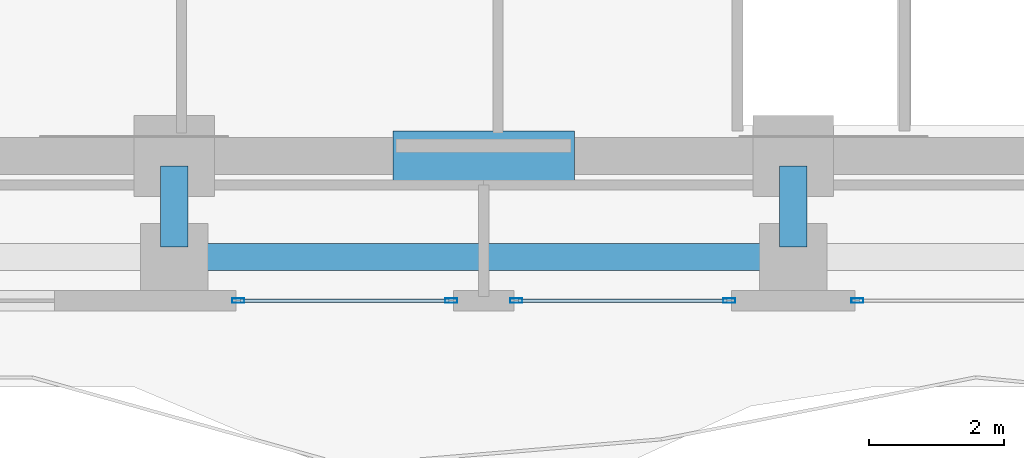
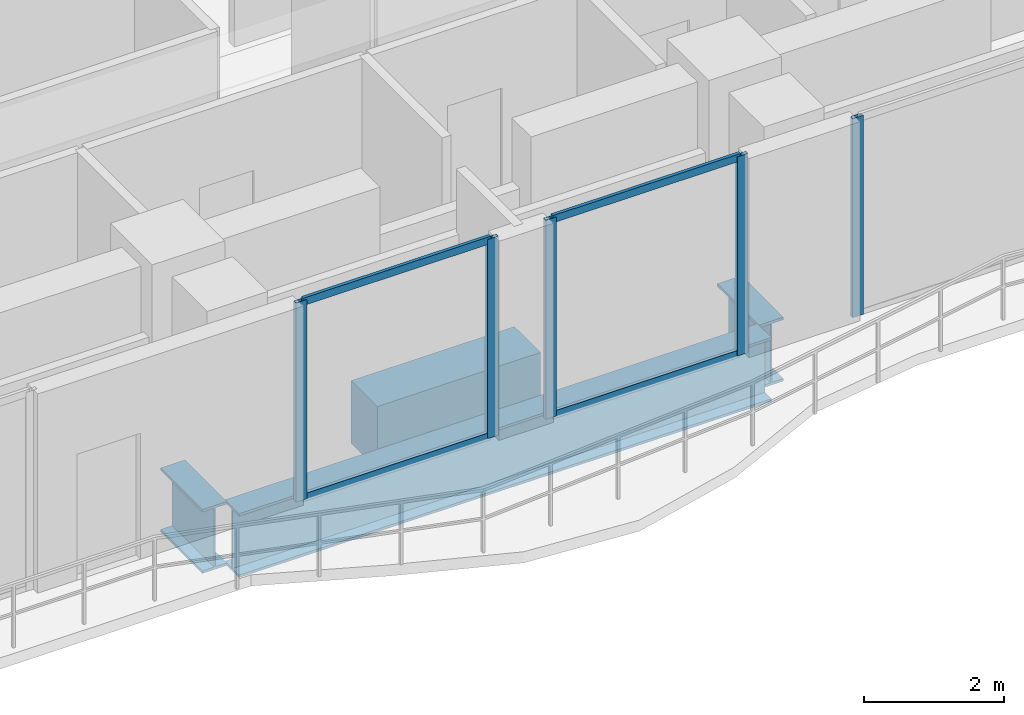
# One storey, part 5 of 28: 9 members, 4 beams, 3 elements without a shape of their own.
"""IFC4 building model written with IfcOpenShell, lengths in metres."""

import ifcopenshell
import ifcopenshell.guid

model = None  # the IFC model being written
_history = None  # IfcOwnerHistory: only IFC2X3 demands one
_inside = {}  # id of a spatial element -> (the spatial element, [elements in it])
_under = {}  # id of a project, library or spatial element -> (it, [spatial elements below it])
_declared = {}  # id of a project -> (the project, [libraries it declares])
_typed = {}  # id of a type object -> (the type object, [elements of that type])
_made_of = {}  # id of a material, layer set ... -> (it, [elements and type objects made of it])


def new_model(schema):
    """Start an empty IFC model of exactly this schema.

    Asked for "IFC4X3", IfcOpenShell would pick the latest addendum, in which some entities
    have other attributes; the version numbers below select the first issue.
    IFC2X3 requires an IfcOwnerHistory on every rooted entity: one is made here for all.
    """
    global model, _history
    if schema == "IFC4X3":
        model = ifcopenshell.file(schema_version=(4, 3, 0, 0))
    else:
        model = ifcopenshell.file(schema=schema)
    _inside.clear()
    _under.clear()
    _declared.clear()
    _typed.clear()
    _made_of.clear()
    _history = None
    if model.schema == "IFC2X3":
        org = make("IfcOrganization", Name="unknown")
        user = make(
            "IfcPersonAndOrganization",
            ThePerson=make("IfcPerson", FamilyName="unknown"),
            TheOrganization=org,
        )
        app = make(
            "IfcApplication",
            ApplicationDeveloper=org,
            Version="unknown",
            ApplicationFullName="unknown",
            ApplicationIdentifier="unknown",
        )
        _history = make(
            "IfcOwnerHistory",
            OwningUser=user,
            OwningApplication=app,
            ChangeAction="ADDED",
            CreationDate=0,
        )
    return model


def make(cls, **values):
    """One entity of the class cls with the attributes given. An attribute that is None is left unset."""
    return model.create_entity(
        cls, **{name: value for name, value in values.items() if value is not None}
    )


def rooted(cls, **values):
    """An entity with a GlobalId (a new one), such as an element, a storey or a relation."""
    return make(cls, GlobalId=ifcopenshell.guid.new(), OwnerHistory=_history, **values)


def si_unit(unit_type, name, prefix=None):
    """IfcSIUnit, for example si_unit("LENGTHUNIT", "METRE", prefix="MILLI")."""
    return make("IfcSIUnit", UnitType=unit_type, Prefix=prefix, Name=name)


def assignment(units):
    """IfcUnitAssignment: the units of a project."""
    return None if units is None else make("IfcUnitAssignment", Units=units)


def point(xyz):
    """IfcCartesianPoint."""
    return None if xyz is None else make("IfcCartesianPoint", Coordinates=xyz)


def direction(xyz):
    """IfcDirection."""
    return None if xyz is None else make("IfcDirection", DirectionRatios=xyz)


def frame(location, z_axis=None, x_axis=None):
    """IfcAxis2Placement3D, a coordinate frame: its origin and axes. An axis left out is left unset."""
    return make(
        "IfcAxis2Placement3D",
        Location=point(location),
        Axis=direction(z_axis),
        RefDirection=direction(x_axis),
    )


def frame_2d(location, x_axis=None):
    """IfcAxis2Placement2D, a coordinate frame in the plane: its origin and x axis."""
    return make(
        "IfcAxis2Placement2D", Location=point(location), RefDirection=direction(x_axis)
    )


def origin():
    """The frame at (0, 0, 0) with its axes left unset."""
    return frame((0.0, 0.0, 0.0))


def origin_2d():
    """The frame at (0, 0) in the plane with its x axis left unset."""
    return frame_2d((0.0, 0.0))


def place(relative_to, where):
    """IfcLocalPlacement: puts the frame where relative to a parent placement (None: the world)."""
    return make(
        "IfcLocalPlacement", PlacementRelTo=relative_to, RelativePlacement=where
    )


def context(
    kind, dimensions, precision=None, world=None, true_north=None, identifier=None
):
    """IfcGeometricRepresentationContext, for example the 3D "Model" context."""
    return make(
        "IfcGeometricRepresentationContext",
        ContextIdentifier=identifier,
        ContextType=kind,
        CoordinateSpaceDimension=dimensions,
        Precision=precision,
        WorldCoordinateSystem=world,
        TrueNorth=true_north,
    )


def subcontext(parent, identifier, kind, view, scale=None):
    """IfcGeometricRepresentationSubContext, for example "Body" below "Model"."""
    return make(
        "IfcGeometricRepresentationSubContext",
        ContextIdentifier=identifier,
        ContextType=kind,
        ParentContext=parent,
        TargetScale=scale,
        TargetView=view,
    )


def project(units=None, contexts=None):
    """IfcProject with its units and contexts."""
    return rooted(
        "IfcProject",
        Name="project",
        RepresentationContexts=contexts,
        UnitsInContext=assignment(units),
    )


def spatial(cls, under=None, at=None, **own):
    """A site, building, storey or space (cls), placed at a placement, below another one or the project."""
    s = rooted(cls, ObjectPlacement=at, **own)
    if under is not None:
        _under.setdefault(under.id(), (under, []))[1].append(s)
    return s


def profile(cls, at=None, kind="AREA", **sizes):
    """A parametric profile (cls). Its sizes go by their IFC names, for example OverallWidth=200.0."""
    return make(cls, ProfileType=kind, Position=at, **sizes)


def rectangle(**sizes):
    """IfcRectangleProfileDef."""
    return profile("IfcRectangleProfileDef", **sizes)


def hollow_rectangle(**sizes):
    """IfcRectangleHollowProfileDef."""
    return profile("IfcRectangleHollowProfileDef", **sizes)


def i_section(**sizes):
    """IfcIShapeProfileDef."""
    return profile("IfcIShapeProfileDef", **sizes)


def extrude(swept, where, along, depth):
    """IfcExtrudedAreaSolid: the profile swept, set in the frame where, extruded along a direction by depth."""
    return make(
        "IfcExtrudedAreaSolid",
        SweptArea=swept,
        Position=where,
        ExtrudedDirection=direction(along),
        Depth=depth,
    )


def shape(context_of_items, identifier, shape_type, items):
    """IfcShapeRepresentation: the items that make up one representation, for example the "Body"."""
    return make(
        "IfcShapeRepresentation",
        ContextOfItems=context_of_items,
        RepresentationIdentifier=identifier,
        RepresentationType=shape_type,
        Items=items,
    )


def material(Name=None, Category=None):
    """IfcMaterial."""
    return make("IfcMaterial", Name=Name, Category=Category)


def layer(
    of_material, thickness, ventilated=None, Name=None, Category=None, Priority=None
):
    """IfcMaterialLayer: one layer of a wall or slab, of a material (None: an air gap)."""
    return make(
        "IfcMaterialLayer",
        Material=of_material,
        LayerThickness=thickness,
        IsVentilated=ventilated,
        Name=Name,
        Category=Category,
        Priority=Priority,
    )


def layer_set(layers, Name=None):
    """IfcMaterialLayerSet."""
    return make("IfcMaterialLayerSet", MaterialLayers=layers, LayerSetName=Name)


def material_profile(
    of_material, cross_section, Name=None, Category=None, Priority=None
):
    """IfcMaterialProfile: a cross section and its material."""
    return make(
        "IfcMaterialProfile",
        Name=Name,
        Material=of_material,
        Profile=cross_section,
        Priority=Priority,
        Category=Category,
    )


def profile_set(profiles, Name=None, composite=None):
    """IfcMaterialProfileSet."""
    return make(
        "IfcMaterialProfileSet",
        Name=Name,
        MaterialProfiles=profiles,
        CompositeProfile=composite,
    )


def made_of(thing, what):
    """Note that an element or type object is made of a material, layer set ...; save() writes the relation."""
    if what is not None:
        _made_of.setdefault(what.id(), (what, []))[1].append(thing)
    return thing


def type_object(cls, material=None, **own):
    """A type object (cls), such as IfcWallType, which elements share."""
    return made_of(rooted(cls, **own), material)


def element(
    cls,
    number,
    at=None,
    inside=None,
    cuts=None,
    type_object=None,
    material=None,
    context=None,
    identifier="Body",
    shape_type=None,
    held_by="IfcProductDefinitionShape",
    body=None,
    shapes=None,
    **own,
):
    """One element of the class cls, such as IfcWall. Its Tag is "e" and its number.

    at: its placement. inside: the storey or other place that contains it. cuts: it is an
    opening in that element (IfcRelVoidsElement). A single representation is given by context,
    identifier, shape_type and body (its items); several are given by shapes. held_by: the class
    of the entity that holds the representations. save() writes the other relations.
    """
    e = rooted(cls, Tag="e%d" % number, ObjectPlacement=at, **own)
    if body is not None:
        shapes = [shape(context, identifier, shape_type, body)]
    if shapes is not None:
        e.Representation = make(held_by, Representations=shapes)
    if inside is not None:
        _inside.setdefault(inside.id(), (inside, []))[1].append(e)
    if cuts is not None:
        rooted(
            "IfcRelVoidsElement", RelatingBuildingElement=cuts, RelatedOpeningElement=e
        )
    if type_object is not None:
        _typed.setdefault(type_object.id(), (type_object, []))[1].append(e)
    return made_of(e, material)


def aggregate(whole, parts):
    """IfcRelAggregates: a whole, such as a stair, and the parts it consists of."""
    return rooted("IfcRelAggregates", RelatingObject=whole, RelatedObjects=parts)


def save(model, path):
    """Write the relations noted so far, then the file.

    IfcRelAggregates (storeys below a building ...), IfcRelContainedInSpatialStructure (elements
    in a storey), IfcRelDefinesByType, IfcRelAssociatesMaterial and IfcRelDeclares: one each for
    every whole, place, type object, material and project.
    """
    for whole, parts in _under.values():
        aggregate(whole, parts)
    for where, things in _inside.values():
        rooted(
            "IfcRelContainedInSpatialStructure",
            RelatedElements=things,
            RelatingStructure=where,
        )
    for kind, things in _typed.values():
        rooted("IfcRelDefinesByType", RelatedObjects=things, RelatingType=kind)
    for what, things in _made_of.values():
        rooted("IfcRelAssociatesMaterial", RelatedObjects=things, RelatingMaterial=what)
    for by, libraries in _declared.values():
        rooted("IfcRelDeclares", RelatingContext=by, RelatedDefinitions=libraries)
    model.write(path)


model = new_model("IFC4")

# Units and contexts
model_context = context("Model", 3, precision=1e-05, world=origin(), true_north=direction((0.0, 1.0)))
body_context = subcontext(model_context, "Body", "Model", "MODEL_VIEW")
ifc_project = project(units=[si_unit("LENGTHUNIT", "METRE"), si_unit("AREAUNIT", "SQUARE_METRE"), si_unit("VOLUMEUNIT", "CUBIC_METRE"), si_unit("PLANEANGLEUNIT", "RADIAN"), si_unit("MASSUNIT", "GRAM", prefix="KILO")], contexts=[model_context])

# Site, building, storey
site_placement = place(None, origin())
site = spatial("IfcSite", under=ifc_project, at=site_placement, CompositionType="ELEMENT")
building_placement = place(site_placement, origin())
building = spatial("IfcBuilding", under=site, at=building_placement, Name="Zuhayl Quay Hotel", CompositionType="ELEMENT")
storey_placement = place(building_placement, frame((0.0, 0.0, 239.64990234375)))
storey = spatial("IfcBuildingStorey", under=building, at=storey_placement, Name="L60", CompositionType="ELEMENT", Elevation=239.64990234375)

# Beams
ifc_material_1 = material(Name="Concrete C60/75", Category="concrete")
ifc_material_profile_1 = material_profile(ifc_material_1, rectangle(XDim=0.75, YDim=1.10009765625, at=origin_2d()), Name="RC750X1100")
ifc_profile_set_1 = profile_set([ifc_material_profile_1], Name="Concrete C60/75")
beam_type_1 = type_object("IfcBeamType", Name="BM_CB2_RC750", PredefinedType="T_BEAM", material=ifc_profile_set_1)
beam_1_placement = place(storey_placement, frame((-1.35009765625, 2.14990234375, -0.809814453125), z_axis=(1.0, 0.0, 0.0), x_axis=(0.0, 1.0, 0.0)))
element("IfcBeam", 1, at=beam_1_placement, inside=storey, type_object=beam_type_1, Name="L60 Core Coupling Beam South", PredefinedType="T_BEAM", context=body_context, shape_type="SweptSolid", body=[
    extrude(rectangle(XDim=0.75, YDim=1.10009765625, at=origin_2d()), origin(), (0.0, 0.0, 1.0), 2.7001953125),
])
ifc_material_2 = material(Name="Steel ASTM A913 Grade 65", Category="steel")
ifc_material_profile_2 = material_profile(ifc_material_2, i_section(OverallWidth=0.404052734375, OverallDepth=1.117919921875, WebThickness=0.026123046875, FlangeThickness=0.044921875, at=origin_2d()), Name="W44X335")
ifc_profile_set_2 = profile_set([ifc_material_profile_2], Name="Steel ASTM A913 Grade 65")
beam_type_2 = type_object("IfcBeamType", Name="BM_TG1_W44X335", PredefinedType="BEAM", material=ifc_profile_set_2)
beam_2_placement = place(storey_placement, frame((-4.39990234375, 0.64990234375, -0.81884765625), z_axis=(1.0, 0.0, 0.0), x_axis=(0.0, 1.0, 0.0)))
element("IfcBeam", 2, at=beam_2_placement, inside=storey, type_object=beam_type_2, Name="L60 Floor Beam RG_L60_02", PredefinedType="BEAM", context=body_context, shape_type="SweptSolid", body=[
    extrude(i_section(OverallWidth=0.404052734375, OverallDepth=1.117919921875, WebThickness=0.026123046875, FlangeThickness=0.044921875, at=origin_2d()), origin(), (0.0, 0.0, 1.0), 8.7998046875),
])
for number, where, z_axis, x_axis, name in (
    (3, (-4.60009765625, 0.800048828125, -0.81884765625), (0.0, 1.0, 0.0), (-1.0, 0.0, 0.0), "L60 Floor Beam FG_S_L60_2"),
    (4, (4.60009765625, 0.800048828125, -0.81884765625), (0.0, 1.0, 0.0), (-1.0, 0.0, 0.0), "L60 Floor Beam FG_S_L60_3"),
):
    element("IfcBeam", number, at=place(storey_placement, frame(where, z_axis=z_axis, x_axis=x_axis)), inside=storey, type_object=beam_type_2, Name=name, PredefinedType="BEAM", context=body_context, shape_type="SweptSolid", body=[
        extrude(i_section(OverallWidth=0.404052734375, OverallDepth=1.117919921875, WebThickness=0.026123046875, FlangeThickness=0.044921875, at=origin_2d()), origin(), (0.0, 0.0, 1.0), 1.199951171875),
    ])

# Curtain wall, member
ifc_material_3 = material(Name="Anodised Aluminium 6063-T6", Category="aluminium")
ifc_layer = layer(ifc_material_3, 0.169921875, Name="Anodised Aluminium 6063-T6", Category="aluminium")
ifc_layer_set = layer_set([ifc_layer], Name="Anodised Aluminium 6063-T6")
curtain_wall_type = type_object("IfcCurtainWallType", Name="CW_SYS_Z4", PredefinedType="USERDEFINED", material=ifc_layer_set)
curtain_wall_1_placement = place(storey_placement, origin())
curtain_wall_1 = element("IfcCurtainWall", 5, at=curtain_wall_1_placement, inside=storey, type_object=curtain_wall_type, Name="L60 Curtain Wall ENV_L60_S_CW1", ObjectType="UNITISED CURTAIN WALL", PredefinedType="USERDEFINED")
ifc_material_4 = material(Name="Black-anodised aluminium 6063-T6", Category="aluminium")
ifc_material_profile_3 = material_profile(ifc_material_4, hollow_rectangle(XDim=0.06494140625, YDim=0.179931640625, WallThickness=0.00341796875, at=origin_2d()), Name="ALU180X65")
ifc_profile_set_3 = profile_set([ifc_material_profile_3], Name="Black-anodised aluminium 6063-T6")
member_type_1 = type_object("IfcMemberType", Name="MB_CW_MUL_180", PredefinedType="MULLION", material=ifc_profile_set_3)
member_1_placement = place(storey_placement, frame((5.552490234375, 0.0, 0.0), z_axis=(0.0, 0.0, 1.0), x_axis=(0.0, -1.0, 0.0)))
member_1 = element("IfcMember", 6, at=member_1_placement, type_object=member_type_1, Name="CW-Z4 mullion 2", PredefinedType="MULLION", context=body_context, shape_type="SweptSolid", body=[
    extrude(hollow_rectangle(XDim=0.06494140625, YDim=0.179931640625, WallThickness=0.00341796875, at=origin_2d()), origin(), (0.0, 0.0, 1.0), 3.47998046875),
])
aggregate(curtain_wall_1, [member_1])

# Curtain wall, members
curtain_wall_2_placement = place(storey_placement, origin())
curtain_wall_2 = element("IfcCurtainWall", 7, at=curtain_wall_2_placement, inside=storey, type_object=curtain_wall_type, Name="L60 Curtain Wall ENV_L60_S_CW2", ObjectType="UNITISED CURTAIN WALL", PredefinedType="USERDEFINED")
member_2_placement = place(storey_placement, frame((3.6474609375, 0.0, 0.0), z_axis=(0.0, 0.0, 1.0), x_axis=(0.0, -1.0, 0.0)))
member_2 = element("IfcMember", 8, at=member_2_placement, type_object=member_type_1, Name="CW-Z4 mullion 1", PredefinedType="MULLION", context=body_context, shape_type="SweptSolid", body=[
    extrude(hollow_rectangle(XDim=0.06494140625, YDim=0.179931640625, WallThickness=0.00341796875, at=origin_2d()), origin(), (0.0, 0.0, 1.0), 3.47998046875),
])
member_3_placement = place(storey_placement, frame((0.482421875, 0.0, 0.0), z_axis=(0.0, 0.0, 1.0), x_axis=(0.0, -1.0, 0.0)))
member_3 = element("IfcMember", 9, at=member_3_placement, type_object=member_type_1, Name="CW-Z4 mullion 2", PredefinedType="MULLION", context=body_context, shape_type="SweptSolid", body=[
    extrude(hollow_rectangle(XDim=0.06494140625, YDim=0.179931640625, WallThickness=0.00341796875, at=origin_2d()), origin(), (0.0, 0.0, 1.0), 3.47998046875),
])

curtain_wall_3_placement = place(storey_placement, origin())
curtain_wall_3 = element("IfcCurtainWall", 10, at=curtain_wall_3_placement, inside=storey, type_object=curtain_wall_type, Name="L60 Curtain Wall ENV_L60_S_CW3", ObjectType="UNITISED CURTAIN WALL", PredefinedType="USERDEFINED")
member_4_placement = place(storey_placement, frame((-0.482421875, 0.0, 0.0), z_axis=(0.0, 0.0, 1.0), x_axis=(0.0, -1.0, 0.0)))
member_4 = element("IfcMember", 11, at=member_4_placement, type_object=member_type_1, Name="CW-Z4 mullion 1", PredefinedType="MULLION", context=body_context, shape_type="SweptSolid", body=[
    extrude(hollow_rectangle(XDim=0.06494140625, YDim=0.179931640625, WallThickness=0.00341796875, at=origin_2d()), origin(), (0.0, 0.0, 1.0), 3.47998046875),
])
member_5_placement = place(storey_placement, frame((-3.6474609375, 0.0, 0.0), z_axis=(0.0, 0.0, 1.0), x_axis=(0.0, -1.0, 0.0)))
member_5 = element("IfcMember", 12, at=member_5_placement, type_object=member_type_1, Name="CW-Z4 mullion 2", PredefinedType="MULLION", context=body_context, shape_type="SweptSolid", body=[
    extrude(hollow_rectangle(XDim=0.06494140625, YDim=0.179931640625, WallThickness=0.00341796875, at=origin_2d()), origin(), (0.0, 0.0, 1.0), 3.47998046875),
])

# Member
ifc_material_profile_4 = material_profile(ifc_material_4, hollow_rectangle(XDim=0.054931640625, YDim=0.1298828125, WallThickness=0.0029296875, at=origin_2d()), Name="ALU130X55")
ifc_profile_set_4 = profile_set([ifc_material_profile_4], Name="Black-anodised aluminium 6063-T6")
member_type_2 = type_object("IfcMemberType", Name="MB_CW_TRN_130", PredefinedType="USERDEFINED", material=ifc_profile_set_4)
member_6_placement = place(storey_placement, frame((3.614990234375, 0.0, 0.027587890625), z_axis=(-1.0, 0.0, 0.0), x_axis=(0.0, -1.0, 0.0)))
member_6 = element("IfcMember", 13, at=member_6_placement, type_object=member_type_2, Name="CW-Z4 transom 1.1", ObjectType="TRANSOM", PredefinedType="USERDEFINED", context=body_context, shape_type="SweptSolid", body=[
    extrude(hollow_rectangle(XDim=0.054931640625, YDim=0.1298828125, WallThickness=0.0029296875, at=origin_2d()), origin(), (0.0, 0.0, 1.0), 3.10009765625),
])

member_7_placement = place(storey_placement, frame((3.614990234375, 0.0, 3.45263671875), z_axis=(-1.0, 0.0, 0.0), x_axis=(0.0, -1.0, 0.0)))
member_7 = element("IfcMember", 14, at=member_7_placement, type_object=member_type_2, Name="CW-Z4 transom 1.2", ObjectType="TRANSOM", PredefinedType="USERDEFINED", context=body_context, shape_type="SweptSolid", body=[
    extrude(hollow_rectangle(XDim=0.054931640625, YDim=0.1298828125, WallThickness=0.0029296875, at=origin_2d()), origin(), (0.0, 0.0, 1.0), 3.10009765625),
])

aggregate(curtain_wall_2, [member_2, member_3, member_6, member_7])

member_8_placement = place(storey_placement, frame((-0.514892578125, 0.0, 0.027587890625), z_axis=(-1.0, 0.0, 0.0), x_axis=(0.0, -1.0, 0.0)))
member_8 = element("IfcMember", 15, at=member_8_placement, type_object=member_type_2, Name="CW-Z4 transom 1.1", ObjectType="TRANSOM", PredefinedType="USERDEFINED", context=body_context, shape_type="SweptSolid", body=[
    extrude(hollow_rectangle(XDim=0.054931640625, YDim=0.1298828125, WallThickness=0.0029296875, at=origin_2d()), origin(), (0.0, 0.0, 1.0), 3.10009765625),
])

member_9_placement = place(storey_placement, frame((-0.514892578125, 0.0, 3.45263671875), z_axis=(-1.0, 0.0, 0.0), x_axis=(0.0, -1.0, 0.0)))
member_9 = element("IfcMember", 16, at=member_9_placement, type_object=member_type_2, Name="CW-Z4 transom 1.2", ObjectType="TRANSOM", PredefinedType="USERDEFINED", context=body_context, shape_type="SweptSolid", body=[
    extrude(hollow_rectangle(XDim=0.054931640625, YDim=0.1298828125, WallThickness=0.0029296875, at=origin_2d()), origin(), (0.0, 0.0, 1.0), 3.10009765625),
])

aggregate(curtain_wall_3, [member_4, member_5, member_8, member_9])

save(model, "model.ifc")
